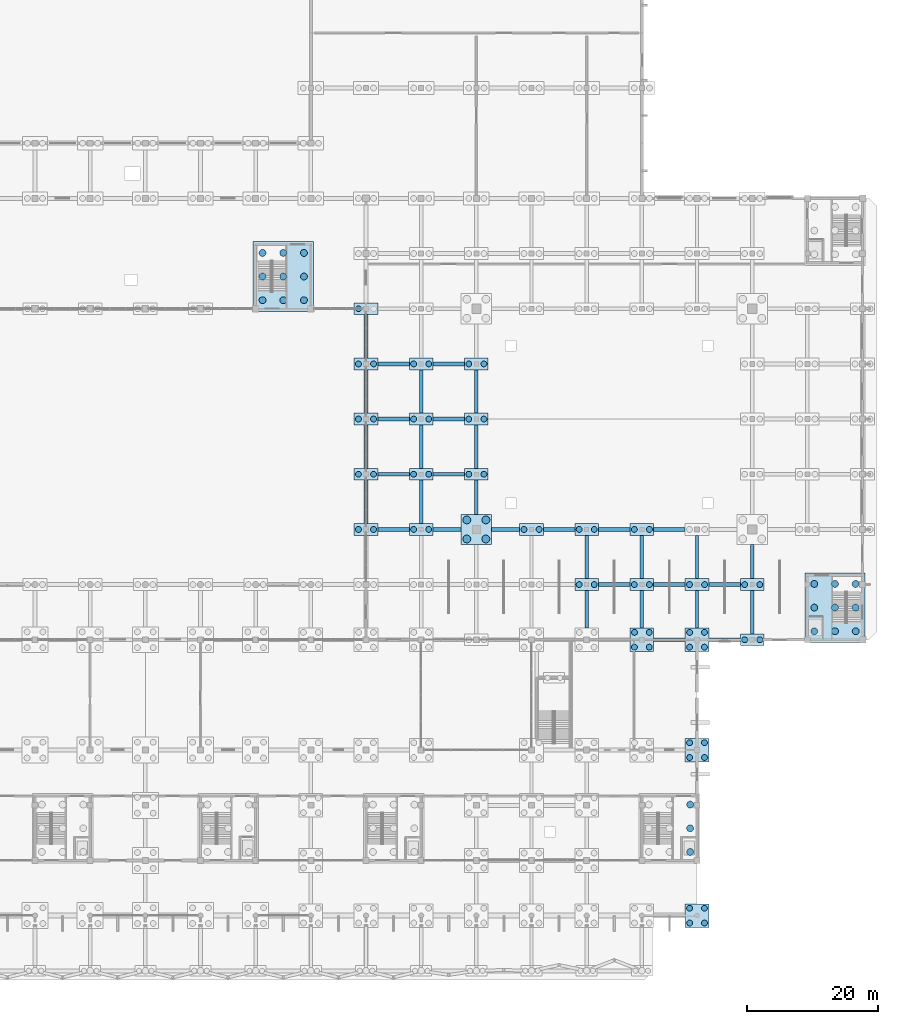
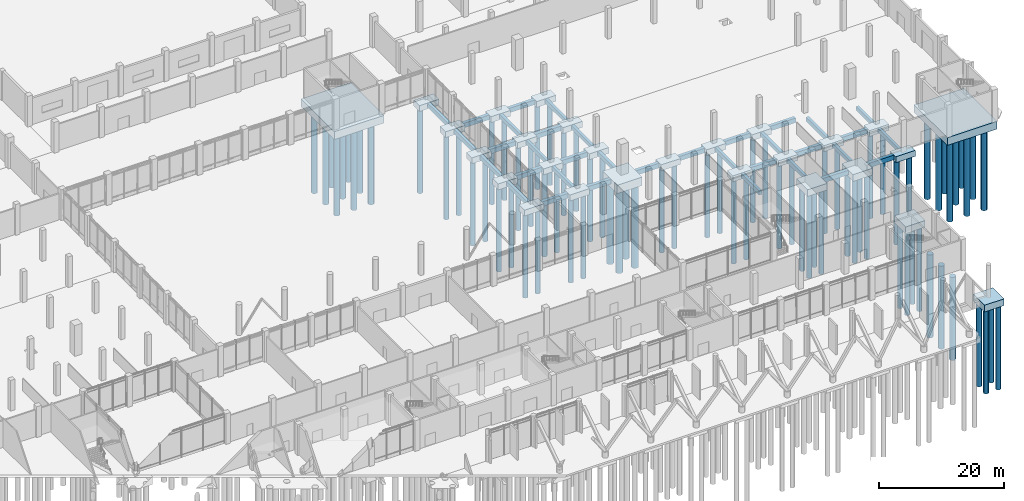
# One storey, part 9 of 72: 80 piles, 62 footings.
"""IFC4 building model written with IfcOpenShell, lengths in metres."""

import ifcopenshell
import ifcopenshell.guid

model = None  # the IFC model being written
_history = None  # IfcOwnerHistory: only IFC2X3 demands one
_inside = {}  # id of a spatial element -> (the spatial element, [elements in it])
_under = {}  # id of a project, library or spatial element -> (it, [spatial elements below it])
_declared = {}  # id of a project -> (the project, [libraries it declares])
_typed = {}  # id of a type object -> (the type object, [elements of that type])
_made_of = {}  # id of a material, layer set ... -> (it, [elements and type objects made of it])


def new_model(schema):
    """Start an empty IFC model of exactly this schema.

    Asked for "IFC4X3", IfcOpenShell would pick the latest addendum, in which some entities
    have other attributes; the version numbers below select the first issue.
    IFC2X3 requires an IfcOwnerHistory on every rooted entity: one is made here for all.
    """
    global model, _history
    if schema == "IFC4X3":
        model = ifcopenshell.file(schema_version=(4, 3, 0, 0))
    else:
        model = ifcopenshell.file(schema=schema)
    _inside.clear()
    _under.clear()
    _declared.clear()
    _typed.clear()
    _made_of.clear()
    _history = None
    if model.schema == "IFC2X3":
        org = make("IfcOrganization", Name="unknown")
        user = make(
            "IfcPersonAndOrganization",
            ThePerson=make("IfcPerson", FamilyName="unknown"),
            TheOrganization=org,
        )
        app = make(
            "IfcApplication",
            ApplicationDeveloper=org,
            Version="unknown",
            ApplicationFullName="unknown",
            ApplicationIdentifier="unknown",
        )
        _history = make(
            "IfcOwnerHistory",
            OwningUser=user,
            OwningApplication=app,
            ChangeAction="ADDED",
            CreationDate=0,
        )
    return model


def make(cls, **values):
    """One entity of the class cls with the attributes given. An attribute that is None is left unset."""
    return model.create_entity(
        cls, **{name: value for name, value in values.items() if value is not None}
    )


def rooted(cls, **values):
    """An entity with a GlobalId (a new one), such as an element, a storey or a relation."""
    return make(cls, GlobalId=ifcopenshell.guid.new(), OwnerHistory=_history, **values)


def si_unit(unit_type, name, prefix=None):
    """IfcSIUnit, for example si_unit("LENGTHUNIT", "METRE", prefix="MILLI")."""
    return make("IfcSIUnit", UnitType=unit_type, Prefix=prefix, Name=name)


def assignment(units):
    """IfcUnitAssignment: the units of a project."""
    return None if units is None else make("IfcUnitAssignment", Units=units)


def point(xyz):
    """IfcCartesianPoint."""
    return None if xyz is None else make("IfcCartesianPoint", Coordinates=xyz)


def direction(xyz):
    """IfcDirection."""
    return None if xyz is None else make("IfcDirection", DirectionRatios=xyz)


def frame(location, z_axis=None, x_axis=None):
    """IfcAxis2Placement3D, a coordinate frame: its origin and axes. An axis left out is left unset."""
    return make(
        "IfcAxis2Placement3D",
        Location=point(location),
        Axis=direction(z_axis),
        RefDirection=direction(x_axis),
    )


def frame_2d(location, x_axis=None):
    """IfcAxis2Placement2D, a coordinate frame in the plane: its origin and x axis."""
    return make(
        "IfcAxis2Placement2D", Location=point(location), RefDirection=direction(x_axis)
    )


def origin():
    """The frame at (0, 0, 0) with its axes left unset."""
    return frame((0.0, 0.0, 0.0))


def origin_2d():
    """The frame at (0, 0) in the plane with its x axis left unset."""
    return frame_2d((0.0, 0.0))


def place(relative_to, where):
    """IfcLocalPlacement: puts the frame where relative to a parent placement (None: the world)."""
    return make(
        "IfcLocalPlacement", PlacementRelTo=relative_to, RelativePlacement=where
    )


def context(
    kind, dimensions, precision=None, world=None, true_north=None, identifier=None
):
    """IfcGeometricRepresentationContext, for example the 3D "Model" context."""
    return make(
        "IfcGeometricRepresentationContext",
        ContextIdentifier=identifier,
        ContextType=kind,
        CoordinateSpaceDimension=dimensions,
        Precision=precision,
        WorldCoordinateSystem=world,
        TrueNorth=true_north,
    )


def subcontext(parent, identifier, kind, view, scale=None):
    """IfcGeometricRepresentationSubContext, for example "Body" below "Model"."""
    return make(
        "IfcGeometricRepresentationSubContext",
        ContextIdentifier=identifier,
        ContextType=kind,
        ParentContext=parent,
        TargetScale=scale,
        TargetView=view,
    )


def project(units=None, contexts=None):
    """IfcProject with its units and contexts."""
    return rooted(
        "IfcProject",
        Name="project",
        RepresentationContexts=contexts,
        UnitsInContext=assignment(units),
    )


def spatial(cls, under=None, at=None, **own):
    """A site, building, storey or space (cls), placed at a placement, below another one or the project."""
    s = rooted(cls, ObjectPlacement=at, **own)
    if under is not None:
        _under.setdefault(under.id(), (under, []))[1].append(s)
    return s


def profile(cls, at=None, kind="AREA", **sizes):
    """A parametric profile (cls). Its sizes go by their IFC names, for example OverallWidth=200.0."""
    return make(cls, ProfileType=kind, Position=at, **sizes)


def rectangle(**sizes):
    """IfcRectangleProfileDef."""
    return profile("IfcRectangleProfileDef", **sizes)


def circle(**sizes):
    """IfcCircleProfileDef."""
    return profile("IfcCircleProfileDef", **sizes)


def extrude(swept, where, along, depth):
    """IfcExtrudedAreaSolid: the profile swept, set in the frame where, extruded along a direction by depth."""
    return make(
        "IfcExtrudedAreaSolid",
        SweptArea=swept,
        Position=where,
        ExtrudedDirection=direction(along),
        Depth=depth,
    )


def shape(context_of_items, identifier, shape_type, items):
    """IfcShapeRepresentation: the items that make up one representation, for example the "Body"."""
    return make(
        "IfcShapeRepresentation",
        ContextOfItems=context_of_items,
        RepresentationIdentifier=identifier,
        RepresentationType=shape_type,
        Items=items,
    )


def material(Name=None, Category=None):
    """IfcMaterial."""
    return make("IfcMaterial", Name=Name, Category=Category)


def layer(
    of_material, thickness, ventilated=None, Name=None, Category=None, Priority=None
):
    """IfcMaterialLayer: one layer of a wall or slab, of a material (None: an air gap)."""
    return make(
        "IfcMaterialLayer",
        Material=of_material,
        LayerThickness=thickness,
        IsVentilated=ventilated,
        Name=Name,
        Category=Category,
        Priority=Priority,
    )


def layer_set(layers, Name=None):
    """IfcMaterialLayerSet."""
    return make("IfcMaterialLayerSet", MaterialLayers=layers, LayerSetName=Name)


def material_profile(
    of_material, cross_section, Name=None, Category=None, Priority=None
):
    """IfcMaterialProfile: a cross section and its material."""
    return make(
        "IfcMaterialProfile",
        Name=Name,
        Material=of_material,
        Profile=cross_section,
        Priority=Priority,
        Category=Category,
    )


def profile_set(profiles, Name=None, composite=None):
    """IfcMaterialProfileSet."""
    return make(
        "IfcMaterialProfileSet",
        Name=Name,
        MaterialProfiles=profiles,
        CompositeProfile=composite,
    )


def made_of(thing, what):
    """Note that an element or type object is made of a material, layer set ...; save() writes the relation."""
    if what is not None:
        _made_of.setdefault(what.id(), (what, []))[1].append(thing)
    return thing


def type_object(cls, material=None, **own):
    """A type object (cls), such as IfcWallType, which elements share."""
    return made_of(rooted(cls, **own), material)


def element(
    cls,
    number,
    at=None,
    inside=None,
    cuts=None,
    type_object=None,
    material=None,
    context=None,
    identifier="Body",
    shape_type=None,
    held_by="IfcProductDefinitionShape",
    body=None,
    shapes=None,
    **own,
):
    """One element of the class cls, such as IfcWall. Its Tag is "e" and its number.

    at: its placement. inside: the storey or other place that contains it. cuts: it is an
    opening in that element (IfcRelVoidsElement). A single representation is given by context,
    identifier, shape_type and body (its items); several are given by shapes. held_by: the class
    of the entity that holds the representations. save() writes the other relations.
    """
    e = rooted(cls, Tag="e%d" % number, ObjectPlacement=at, **own)
    if body is not None:
        shapes = [shape(context, identifier, shape_type, body)]
    if shapes is not None:
        e.Representation = make(held_by, Representations=shapes)
    if inside is not None:
        _inside.setdefault(inside.id(), (inside, []))[1].append(e)
    if cuts is not None:
        rooted(
            "IfcRelVoidsElement", RelatingBuildingElement=cuts, RelatedOpeningElement=e
        )
    if type_object is not None:
        _typed.setdefault(type_object.id(), (type_object, []))[1].append(e)
    return made_of(e, material)


def aggregate(whole, parts):
    """IfcRelAggregates: a whole, such as a stair, and the parts it consists of."""
    return rooted("IfcRelAggregates", RelatingObject=whole, RelatedObjects=parts)


def save(model, path):
    """Write the relations noted so far, then the file.

    IfcRelAggregates (storeys below a building ...), IfcRelContainedInSpatialStructure (elements
    in a storey), IfcRelDefinesByType, IfcRelAssociatesMaterial and IfcRelDeclares: one each for
    every whole, place, type object, material and project.
    """
    for whole, parts in _under.values():
        aggregate(whole, parts)
    for where, things in _inside.values():
        rooted(
            "IfcRelContainedInSpatialStructure",
            RelatedElements=things,
            RelatingStructure=where,
        )
    for kind, things in _typed.values():
        rooted("IfcRelDefinesByType", RelatedObjects=things, RelatingType=kind)
    for what, things in _made_of.values():
        rooted("IfcRelAssociatesMaterial", RelatedObjects=things, RelatingMaterial=what)
    for by, libraries in _declared.values():
        rooted("IfcRelDeclares", RelatingContext=by, RelatedDefinitions=libraries)
    model.write(path)


model = new_model("IFC4")

# Units and contexts
model_context = context("Model", 3, precision=1e-05, world=origin(), true_north=direction((0.0, 1.0)))
body_context = subcontext(model_context, "Body", "Model", "MODEL_VIEW")
ifc_project = project(units=[si_unit("LENGTHUNIT", "METRE"), si_unit("AREAUNIT", "SQUARE_METRE"), si_unit("VOLUMEUNIT", "CUBIC_METRE"), si_unit("PLANEANGLEUNIT", "RADIAN"), si_unit("MASSUNIT", "GRAM", prefix="KILO")], contexts=[model_context])

# Site, building, storey
site_placement = place(None, origin())
site = spatial("IfcSite", under=ifc_project, at=site_placement, CompositionType="ELEMENT")
building_placement = place(site_placement, origin())
building = spatial("IfcBuilding", under=site, at=building_placement, Name="Qawsi Khor Wholesale Market", CompositionType="ELEMENT")
storey_placement = place(building_placement, origin())
storey = spatial("IfcBuildingStorey", under=building, at=storey_placement, Name="L00", CompositionType="ELEMENT", Elevation=0.0)

# Piles
ifc_material = material(Name="Concrete C45/55", Category="concrete")
ifc_material_profile_1 = material_profile(ifc_material, circle(Radius=0.52490234375, at=origin_2d()), Name="PILE D1050")
ifc_profile_set_1 = profile_set([ifc_material_profile_1], Name="Concrete C45/55")
pile_type_1 = type_object("IfcPileType", Name="Bored Pile D1050 C45/55", PredefinedType="BORED", material=ifc_profile_set_1)
for number, where, z_axis, x_axis, name in (
    (1, (192.14990234375, 9.699951171875, -1.800048828125), (0.0, 0.0, -1.0), (1.0, 0.0, 0.0), "Core bored pile C06-07"),
    (2, (192.14990234375, 13.300048828125, -1.800048828125), (0.0, 0.0, -1.0), (1.0, 0.0, 0.0), "Core bored pile C06-08"),
    (3, (192.14990234375, 16.89990234375, -1.800048828125), (0.0, 0.0, -1.0), (1.0, 0.0, 0.0), "Core bored pile C06-09"),
    (4, (127.050048828125, 93.699951171875, -1.800048828125), (0.0, 0.0, -1.0), (1.0, 0.0, 0.0), "Core bored pile C10-01"),
    (5, (127.050048828125, 97.300048828125, -1.800048828125), (0.0, 0.0, -1.0), (1.0, 0.0, 0.0), "Core bored pile C10-02"),
    (6, (127.050048828125, 100.89990234375, -1.800048828125), (0.0, 0.0, -1.0), (1.0, 0.0, 0.0), "Core bored pile C10-03"),
    (7, (130.199951171875, 93.699951171875, -1.800048828125), (0.0, 0.0, -1.0), (1.0, 0.0, 0.0), "Core bored pile C10-04"),
    (8, (130.199951171875, 97.300048828125, -1.800048828125), (0.0, 0.0, -1.0), (1.0, 0.0, 0.0), "Core bored pile C10-05"),
    (9, (130.199951171875, 100.89990234375, -1.800048828125), (0.0, 0.0, -1.0), (1.0, 0.0, 0.0), "Core bored pile C10-06"),
    (10, (133.35009765625, 93.699951171875, -1.800048828125), (0.0, 0.0, -1.0), (1.0, 0.0, 0.0), "Core bored pile C10-07"),
    (11, (133.35009765625, 97.300048828125, -1.800048828125), (0.0, 0.0, -1.0), (1.0, 0.0, 0.0), "Core bored pile C10-08"),
    (12, (133.35009765625, 100.89990234375, -1.800048828125), (0.0, 0.0, -1.0), (1.0, 0.0, 0.0), "Core bored pile C10-09"),
    (13, (211.050048828125, 43.300048828125, -1.800048828125), (0.0, 0.0, -1.0), (1.0, 0.0, 0.0), "Core bored pile C11-01"),
    (14, (211.050048828125, 46.89990234375, -1.800048828125), (0.0, 0.0, -1.0), (1.0, 0.0, 0.0), "Core bored pile C11-02"),
    (15, (211.050048828125, 50.5, -1.800048828125), (0.0, 0.0, -1.0), (1.0, 0.0, 0.0), "Core bored pile C11-03"),
    (16, (214.199951171875, 43.300048828125, -1.800048828125), (0.0, 0.0, -1.0), (1.0, 0.0, 0.0), "Core bored pile C11-04"),
    (17, (214.199951171875, 46.89990234375, -1.800048828125), (0.0, 0.0, -1.0), (1.0, 0.0, 0.0), "Core bored pile C11-05"),
    (18, (214.199951171875, 50.5, -1.800048828125), (0.0, 0.0, -1.0), (1.0, 0.0, 0.0), "Core bored pile C11-06"),
    (19, (217.35009765625, 43.300048828125, -1.800048828125), (0.0, 0.0, -1.0), (1.0, 0.0, 0.0), "Core bored pile C11-07"),
    (20, (217.35009765625, 46.89990234375, -1.800048828125), (0.0, 0.0, -1.0), (1.0, 0.0, 0.0), "Core bored pile C11-08"),
    (21, (217.35009765625, 50.5, -1.800048828125), (0.0, 0.0, -1.0), (1.0, 0.0, 0.0), "Core bored pile C11-09"),
):
    element("IfcPile", number, at=place(storey_placement, frame(where, z_axis=z_axis, x_axis=x_axis)), inside=storey, type_object=pile_type_1, Name=name, PredefinedType="BORED", context=body_context, shape_type="SweptSolid", body=[
        extrude(circle(Radius=0.52490234375, at=origin_2d()), origin(), (0.0, 0.0, 1.0), 16.199951171875),
    ])
ifc_material_profile_2 = material_profile(ifc_material, circle(Radius=0.60009765625, at=origin_2d()), Name="PILE D1200")
ifc_profile_set_2 = profile_set([ifc_material_profile_2], Name="Concrete C45/55")
pile_type_2 = type_object("IfcPileType", Name="Bored Pile D1200 C45/55", PredefinedType="BORED", material=ifc_profile_set_2)
for number, where, z_axis, x_axis, name in (
    (22, (158.14990234375, 57.35009765625, -1.93994140625), (0.0, 0.0, -1.0), (1.0, 0.0, 0.0), "Mega-column pile 19_+07-1"),
    (23, (161.050048828125, 57.35009765625, -1.93994140625), (0.0, 0.0, -1.0), (1.0, 0.0, 0.0), "Mega-column pile 19_+07-2"),
    (24, (158.14990234375, 60.25, -1.93994140625), (0.0, 0.0, -1.0), (1.0, 0.0, 0.0), "Mega-column pile 19_+07-3"),
    (25, (161.050048828125, 60.25, -1.93994140625), (0.0, 0.0, -1.0), (1.0, 0.0, 0.0), "Mega-column pile 19_+07-4"),
):
    element("IfcPile", number, at=place(storey_placement, frame(where, z_axis=z_axis, x_axis=x_axis)), inside=storey, type_object=pile_type_2, Name=name, PredefinedType="BORED", context=body_context, shape_type="SweptSolid", body=[
        extrude(circle(Radius=0.60009765625, at=origin_2d()), origin(), (0.0, 0.0, 1.0), 16.06005859375),
    ])
ifc_material_profile_3 = material_profile(ifc_material, circle(Radius=0.449951171875, at=origin_2d()), Name="PILE D900")
ifc_profile_set_3 = profile_set([ifc_material_profile_3], Name="Concrete C45/55")
pile_type_3 = type_object("IfcPileType", Name="Bored Pile D900 C45/55", PredefinedType="BORED", material=ifc_profile_set_3)
for number, where, z_axis, x_axis, name in (
    (26, (141.64990234375, 58.800048828125, -1.5), (0.0, 0.0, -1.0), (1.0, 0.0, 0.0), "Bored pile 17_+07-1"),
    (27, (143.949951171875, 58.800048828125, -1.5), (0.0, 0.0, -1.0), (1.0, 0.0, 0.0), "Bored pile 17_+07-2"),
    (28, (141.64990234375, 67.199951171875, -1.5), (0.0, 0.0, -1.0), (1.0, 0.0, 0.0), "Bored pile 17_+08-1"),
    (29, (143.949951171875, 67.199951171875, -1.5), (0.0, 0.0, -1.0), (1.0, 0.0, 0.0), "Bored pile 17_+08-2"),
    (30, (141.64990234375, 75.60009765625, -1.5), (0.0, 0.0, -1.0), (1.0, 0.0, 0.0), "Bored pile 17_+09-1"),
    (31, (143.949951171875, 75.60009765625, -1.5), (0.0, 0.0, -1.0), (1.0, 0.0, 0.0), "Bored pile 17_+09-2"),
    (32, (141.64990234375, 84.0, -1.5), (0.0, 0.0, -1.0), (1.0, 0.0, 0.0), "Bored pile 17_+10-1"),
    (33, (143.949951171875, 84.0, -1.5), (0.0, 0.0, -1.0), (1.0, 0.0, 0.0), "Bored pile 17_+10-2"),
    (34, (141.64990234375, 92.39990234375, -1.5), (0.0, 0.0, -1.0), (1.0, 0.0, 0.0), "Bored pile 17_+11-1"),
    (35, (150.050048828125, 58.800048828125, -1.5), (0.0, 0.0, -1.0), (1.0, 0.0, 0.0), "Bored pile 18_+07-1"),
    (36, (152.35009765625, 58.800048828125, -1.5), (0.0, 0.0, -1.0), (1.0, 0.0, 0.0), "Bored pile 18_+07-2"),
    (37, (150.050048828125, 67.199951171875, -1.5), (0.0, 0.0, -1.0), (1.0, 0.0, 0.0), "Bored pile 18_+08-1"),
    (38, (152.35009765625, 67.199951171875, -1.5), (0.0, 0.0, -1.0), (1.0, 0.0, 0.0), "Bored pile 18_+08-2"),
    (39, (150.050048828125, 75.60009765625, -1.5), (0.0, 0.0, -1.0), (1.0, 0.0, 0.0), "Bored pile 18_+09-1"),
    (40, (152.35009765625, 75.60009765625, -1.5), (0.0, 0.0, -1.0), (1.0, 0.0, 0.0), "Bored pile 18_+09-2"),
    (41, (150.050048828125, 84.0, -1.5), (0.0, 0.0, -1.0), (1.0, 0.0, 0.0), "Bored pile 18_+10-1"),
    (42, (152.35009765625, 84.0, -1.5), (0.0, 0.0, -1.0), (1.0, 0.0, 0.0), "Bored pile 18_+10-2"),
    (43, (158.449951171875, 67.199951171875, -1.5), (0.0, 0.0, -1.0), (1.0, 0.0, 0.0), "Bored pile 19_+08-1"),
    (44, (160.75, 67.199951171875, -1.5), (0.0, 0.0, -1.0), (1.0, 0.0, 0.0), "Bored pile 19_+08-2"),
    (45, (158.449951171875, 75.60009765625, -1.5), (0.0, 0.0, -1.0), (1.0, 0.0, 0.0), "Bored pile 19_+09-1"),
    (46, (160.75, 75.60009765625, -1.5), (0.0, 0.0, -1.0), (1.0, 0.0, 0.0), "Bored pile 19_+09-2"),
    (47, (158.449951171875, 84.0, -1.5), (0.0, 0.0, -1.0), (1.0, 0.0, 0.0), "Bored pile 19_+10-1"),
    (48, (160.75, 84.0, -1.5), (0.0, 0.0, -1.0), (1.0, 0.0, 0.0), "Bored pile 19_+10-2"),
    (49, (166.85009765625, 58.800048828125, -1.5), (0.0, 0.0, -1.0), (1.0, 0.0, 0.0), "Bored pile 20_+07-1"),
    (50, (169.14990234375, 58.800048828125, -1.5), (0.0, 0.0, -1.0), (1.0, 0.0, 0.0), "Bored pile 20_+07-2"),
    (51, (175.25, 50.39990234375, -1.5), (0.0, 0.0, -1.0), (1.0, 0.0, 0.0), "Bored pile 21_+06-1"),
    (52, (177.550048828125, 50.39990234375, -1.5), (0.0, 0.0, -1.0), (1.0, 0.0, 0.0), "Bored pile 21_+06-2"),
    (53, (175.25, 58.800048828125, -1.5), (0.0, 0.0, -1.0), (1.0, 0.0, 0.0), "Bored pile 21_+07-1"),
    (54, (177.550048828125, 58.800048828125, -1.5), (0.0, 0.0, -1.0), (1.0, 0.0, 0.0), "Bored pile 21_+07-2"),
):
    element("IfcPile", number, at=place(storey_placement, frame(where, z_axis=z_axis, x_axis=x_axis)), inside=storey, type_object=pile_type_3, Name=name, PredefinedType="BORED", context=body_context, shape_type="SweptSolid", body=[
        extrude(circle(Radius=0.449951171875, at=origin_2d()), origin(), (0.0, 0.0, 1.0), 16.5),
    ])
for number, where, z_axis, x_axis, name in (
    (55, (183.675048828125, 40.875, -1.610107421875), (0.0, 0.0, -1.0), (1.0, 0.0, 0.0), "Bored pile 22_+05-1"),
    (56, (185.925048828125, 40.875, -1.610107421875), (0.0, 0.0, -1.0), (1.0, 0.0, 0.0), "Bored pile 22_+05-2"),
    (57, (183.675048828125, 43.125, -1.610107421875), (0.0, 0.0, -1.0), (1.0, 0.0, 0.0), "Bored pile 22_+05-3"),
    (58, (185.925048828125, 43.125, -1.610107421875), (0.0, 0.0, -1.0), (1.0, 0.0, 0.0), "Bored pile 22_+05-4"),
):
    element("IfcPile", number, at=place(storey_placement, frame(where, z_axis=z_axis, x_axis=x_axis)), inside=storey, type_object=pile_type_3, Name=name, PredefinedType="BORED", context=body_context, shape_type="SweptSolid", body=[
        extrude(circle(Radius=0.449951171875, at=origin_2d()), origin(), (0.0, 0.0, 1.0), 16.389892578125),
    ])
for number, where, z_axis, x_axis, name in (
    (59, (183.64990234375, 50.39990234375, -1.5), (0.0, 0.0, -1.0), (1.0, 0.0, 0.0), "Bored pile 22_+06-1"),
    (60, (185.949951171875, 50.39990234375, -1.5), (0.0, 0.0, -1.0), (1.0, 0.0, 0.0), "Bored pile 22_+06-2"),
    (61, (183.64990234375, 58.800048828125, -1.5), (0.0, 0.0, -1.0), (1.0, 0.0, 0.0), "Bored pile 22_+07-1"),
    (62, (185.949951171875, 58.800048828125, -1.5), (0.0, 0.0, -1.0), (1.0, 0.0, 0.0), "Bored pile 22_+07-2"),
):
    element("IfcPile", number, at=place(storey_placement, frame(where, z_axis=z_axis, x_axis=x_axis)), inside=storey, type_object=pile_type_3, Name=name, PredefinedType="BORED", context=body_context, shape_type="SweptSolid", body=[
        extrude(circle(Radius=0.449951171875, at=origin_2d()), origin(), (0.0, 0.0, 1.0), 16.5),
    ])
for number, where, z_axis, x_axis, name in (
    (63, (192.074951171875, -1.125, -1.610107421875), (0.0, 0.0, -1.0), (1.0, 0.0, 0.0), "Bored pile 23_+00-1"),
    (64, (194.324951171875, -1.125, -1.610107421875), (0.0, 0.0, -1.0), (1.0, 0.0, 0.0), "Bored pile 23_+00-2"),
    (65, (192.074951171875, 1.125, -1.610107421875), (0.0, 0.0, -1.0), (1.0, 0.0, 0.0), "Bored pile 23_+00-3"),
    (66, (194.324951171875, 1.125, -1.610107421875), (0.0, 0.0, -1.0), (1.0, 0.0, 0.0), "Bored pile 23_+00-4"),
    (67, (192.074951171875, 24.074951171875, -1.610107421875), (0.0, 0.0, -1.0), (1.0, 0.0, 0.0), "Bored pile 23_+03-1"),
    (68, (194.324951171875, 24.074951171875, -1.610107421875), (0.0, 0.0, -1.0), (1.0, 0.0, 0.0), "Bored pile 23_+03-2"),
    (69, (192.074951171875, 26.324951171875, -1.610107421875), (0.0, 0.0, -1.0), (1.0, 0.0, 0.0), "Bored pile 23_+03-3"),
    (70, (194.324951171875, 26.324951171875, -1.610107421875), (0.0, 0.0, -1.0), (1.0, 0.0, 0.0), "Bored pile 23_+03-4"),
    (71, (192.074951171875, 40.875, -1.610107421875), (0.0, 0.0, -1.0), (1.0, 0.0, 0.0), "Bored pile 23_+05-1"),
    (72, (194.324951171875, 40.875, -1.610107421875), (0.0, 0.0, -1.0), (1.0, 0.0, 0.0), "Bored pile 23_+05-2"),
    (73, (192.074951171875, 43.125, -1.610107421875), (0.0, 0.0, -1.0), (1.0, 0.0, 0.0), "Bored pile 23_+05-3"),
    (74, (194.324951171875, 43.125, -1.610107421875), (0.0, 0.0, -1.0), (1.0, 0.0, 0.0), "Bored pile 23_+05-4"),
):
    element("IfcPile", number, at=place(storey_placement, frame(where, z_axis=z_axis, x_axis=x_axis)), inside=storey, type_object=pile_type_3, Name=name, PredefinedType="BORED", context=body_context, shape_type="SweptSolid", body=[
        extrude(circle(Radius=0.449951171875, at=origin_2d()), origin(), (0.0, 0.0, 1.0), 16.389892578125),
    ])
for number, where, z_axis, x_axis, name in (
    (75, (192.050048828125, 50.39990234375, -1.5), (0.0, 0.0, -1.0), (1.0, 0.0, 0.0), "Bored pile 23_+06-1"),
    (76, (194.35009765625, 50.39990234375, -1.5), (0.0, 0.0, -1.0), (1.0, 0.0, 0.0), "Bored pile 23_+06-2"),
    (77, (200.449951171875, 42.0, -1.5), (0.0, 0.0, -1.0), (1.0, 0.0, 0.0), "Bored pile 24_+05-1"),
    (78, (202.75, 42.0, -1.5), (0.0, 0.0, -1.0), (1.0, 0.0, 0.0), "Bored pile 24_+05-2"),
    (79, (200.449951171875, 50.39990234375, -1.5), (0.0, 0.0, -1.0), (1.0, 0.0, 0.0), "Bored pile 24_+06-1"),
    (80, (202.75, 50.39990234375, -1.5), (0.0, 0.0, -1.0), (1.0, 0.0, 0.0), "Bored pile 24_+06-2"),
):
    element("IfcPile", number, at=place(storey_placement, frame(where, z_axis=z_axis, x_axis=x_axis)), inside=storey, type_object=pile_type_3, Name=name, PredefinedType="BORED", context=body_context, shape_type="SweptSolid", body=[
        extrude(circle(Radius=0.449951171875, at=origin_2d()), origin(), (0.0, 0.0, 1.0), 16.5),
    ])

# Footings
ifc_layer_1 = layer(ifc_material, 1.52001953125, Name="Concrete C45/55")
ifc_layer_set_1 = layer_set([ifc_layer_1], Name="Concrete C45/55")
footing_type_1 = type_object("IfcFootingType", Name="Core Pile Raft CR-9P 9200x10600x1520", PredefinedType="PILE_CAP", material=ifc_layer_set_1)
for number, where, z_axis, x_axis, name in (
    (81, (130.199951171875, 97.300048828125, -1.880126953125), (0.0, 0.0, 1.0), (1.0, 0.0, 0.0), "Core pile raft C10"),
    (82, (214.199951171875, 46.89990234375, -1.880126953125), (0.0, 0.0, 1.0), (1.0, 0.0, 0.0), "Core pile raft C11"),
):
    element("IfcFooting", number, at=place(storey_placement, frame(where, z_axis=z_axis, x_axis=x_axis)), inside=storey, type_object=footing_type_1, Name=name, PredefinedType="PILE_CAP", context=body_context, shape_type="SweptSolid", body=[
        extrude(rectangle(XDim=9.199951171875, YDim=10.60009765625, at=origin_2d()), origin(), (0.0, 0.0, 1.0), 1.52001953125),
    ])
ifc_material_profile_4 = material_profile(ifc_material, rectangle(XDim=0.60009765625, YDim=0.89990234375, at=origin_2d()), Name="RC 600x900")
ifc_profile_set_4 = profile_set([ifc_material_profile_4], Name="Concrete C45/55")
footing_type_2 = type_object("IfcFootingType", Name="Ground Tie-Beam GTB 600x900", PredefinedType="FOOTING_BEAM", material=ifc_profile_set_4)
for number, where, z_axis, x_axis, name in (
    (83, (144.60009765625, 58.800048828125, -0.840087890625), (1.0, 0.0, 0.0), (0.0, 1.0, 0.0), "Ground tie-beam X 17-18 at Y=58.8"),
    (84, (144.60009765625, 67.199951171875, -0.840087890625), (1.0, 0.0, 0.0), (0.0, 1.0, 0.0), "Ground tie-beam X 17-18 at Y=67.2"),
    (85, (144.60009765625, 75.60009765625, -0.840087890625), (1.0, 0.0, 0.0), (0.0, 1.0, 0.0), "Ground tie-beam X 17-18 at Y=75.6"),
    (86, (144.60009765625, 84.0, -0.840087890625), (1.0, 0.0, 0.0), (0.0, 1.0, 0.0), "Ground tie-beam X 17-18 at Y=84.0"),
):
    element("IfcFooting", number, at=place(storey_placement, frame(where, z_axis=z_axis, x_axis=x_axis)), inside=storey, type_object=footing_type_2, Name=name, PredefinedType="FOOTING_BEAM", context=body_context, shape_type="SweptSolid", body=[
        extrude(rectangle(XDim=0.60009765625, YDim=0.89990234375, at=origin_2d()), origin(), (0.0, 0.0, 1.0), 4.7998046875),
    ])
footing_1_placement = place(storey_placement, frame((153.0, 58.800048828125, -0.840087890625), z_axis=(1.0, 0.0, 0.0), x_axis=(0.0, 1.0, 0.0)))
element("IfcFooting", 87, at=footing_1_placement, inside=storey, type_object=footing_type_2, Name="Ground tie-beam X 18-19 at Y=58.8", PredefinedType="FOOTING_BEAM", context=body_context, shape_type="SweptSolid", body=[
    extrude(rectangle(XDim=0.60009765625, YDim=0.89990234375, at=origin_2d()), origin(), (0.0, 0.0, 1.0), 4.300048828125),
])
for number, where, z_axis, x_axis, name in (
    (88, (153.0, 67.199951171875, -0.840087890625), (1.0, 0.0, 0.0), (0.0, 1.0, 0.0), "Ground tie-beam X 18-19 at Y=67.2"),
    (89, (153.0, 75.60009765625, -0.840087890625), (1.0, 0.0, 0.0), (0.0, 1.0, 0.0), "Ground tie-beam X 18-19 at Y=75.6"),
    (90, (153.0, 84.0, -0.840087890625), (1.0, 0.0, 0.0), (0.0, 1.0, 0.0), "Ground tie-beam X 18-19 at Y=84.0"),
):
    element("IfcFooting", number, at=place(storey_placement, frame(where, z_axis=z_axis, x_axis=x_axis)), inside=storey, type_object=footing_type_2, Name=name, PredefinedType="FOOTING_BEAM", context=body_context, shape_type="SweptSolid", body=[
        extrude(rectangle(XDim=0.60009765625, YDim=0.89990234375, at=origin_2d()), origin(), (0.0, 0.0, 1.0), 4.800048828125),
    ])
footing_2_placement = place(storey_placement, frame((161.89990234375, 58.800048828125, -0.840087890625), z_axis=(1.0, 0.0, 0.0), x_axis=(0.0, 1.0, 0.0)))
element("IfcFooting", 91, at=footing_2_placement, inside=storey, type_object=footing_type_2, Name="Ground tie-beam X 19-20 at Y=58.8", PredefinedType="FOOTING_BEAM", context=body_context, shape_type="SweptSolid", body=[
    extrude(rectangle(XDim=0.60009765625, YDim=0.89990234375, at=origin_2d()), origin(), (0.0, 0.0, 1.0), 4.300048828125),
])
for number, where, z_axis, x_axis, name in (
    (92, (169.800048828125, 58.800048828125, -0.840087890625), (1.0, 0.0, 0.0), (0.0, 1.0, 0.0), "Ground tie-beam X 20-21 at Y=58.8"),
    (93, (178.199951171875, 50.39990234375, -0.840087890625), (1.0, 0.0, 0.0), (0.0, 1.0, 0.0), "Ground tie-beam X 21-22 at Y=50.4"),
    (94, (178.199951171875, 58.800048828125, -0.840087890625), (1.0, 0.0, 0.0), (0.0, 1.0, 0.0), "Ground tie-beam X 21-22 at Y=58.8"),
):
    element("IfcFooting", number, at=place(storey_placement, frame(where, z_axis=z_axis, x_axis=x_axis)), inside=storey, type_object=footing_type_2, Name=name, PredefinedType="FOOTING_BEAM", context=body_context, shape_type="SweptSolid", body=[
        extrude(rectangle(XDim=0.60009765625, YDim=0.89990234375, at=origin_2d()), origin(), (0.0, 0.0, 1.0), 4.800048828125),
    ])
for number, where, z_axis, x_axis, name in (
    (95, (186.60009765625, 42.0, -0.840087890625), (1.0, 0.0, 0.0), (0.0, 1.0, 0.0), "Ground tie-beam X 22-23 at Y=42.0"),
    (96, (186.60009765625, 50.39990234375, -0.840087890625), (1.0, 0.0, 0.0), (0.0, 1.0, 0.0), "Ground tie-beam X 22-23 at Y=50.4"),
    (97, (186.60009765625, 58.800048828125, -0.840087890625), (1.0, 0.0, 0.0), (0.0, 1.0, 0.0), "Ground tie-beam X 22-23 at Y=58.8"),
):
    element("IfcFooting", number, at=place(storey_placement, frame(where, z_axis=z_axis, x_axis=x_axis)), inside=storey, type_object=footing_type_2, Name=name, PredefinedType="FOOTING_BEAM", context=body_context, shape_type="SweptSolid", body=[
        extrude(rectangle(XDim=0.60009765625, YDim=0.89990234375, at=origin_2d()), origin(), (0.0, 0.0, 1.0), 4.7998046875),
    ])
for number, where, z_axis, x_axis, name in (
    (98, (195.0, 42.0, -0.840087890625), (1.0, 0.0, 0.0), (0.0, 1.0, 0.0), "Ground tie-beam X 23-24 at Y=42.0"),
    (99, (195.0, 50.39990234375, -0.840087890625), (1.0, 0.0, 0.0), (0.0, 1.0, 0.0), "Ground tie-beam X 23-24 at Y=50.4"),
):
    element("IfcFooting", number, at=place(storey_placement, frame(where, z_axis=z_axis, x_axis=x_axis)), inside=storey, type_object=footing_type_2, Name=name, PredefinedType="FOOTING_BEAM", context=body_context, shape_type="SweptSolid", body=[
        extrude(rectangle(XDim=0.60009765625, YDim=0.89990234375, at=origin_2d()), origin(), (0.0, 0.0, 1.0), 4.800048828125),
    ])
ifc_material_profile_5 = material_profile(ifc_material, rectangle(XDim=0.5, YDim=0.800048828125, at=origin_2d()), Name="RC 500x800")
ifc_profile_set_5 = profile_set([ifc_material_profile_5], Name="Concrete C45/55")
footing_type_3 = type_object("IfcFootingType", Name="Hall Tie-Beam GTB 500x800", PredefinedType="FOOTING_BEAM", material=ifc_profile_set_5)
footing_3_placement = place(storey_placement, frame((151.199951171875, 59.699951171875, -0.7900390625), z_axis=(0.0, 1.0, 0.0), x_axis=(-1.0, 0.0, 0.0)))
element("IfcFooting", 100, at=footing_3_placement, inside=storey, type_object=footing_type_3, Name="Ground tie-beam Y 7-8 at X=151.2", PredefinedType="FOOTING_BEAM", context=body_context, shape_type="SweptSolid", body=[
    extrude(rectangle(XDim=0.5, YDim=0.800048828125, at=origin_2d()), origin(), (0.0, 0.0, 1.0), 6.60009765625),
])
footing_4_placement = place(storey_placement, frame((151.199951171875, 68.10009765625, -0.7900390625), z_axis=(0.0, 1.0, 0.0), x_axis=(-1.0, 0.0, 0.0)))
element("IfcFooting", 101, at=footing_4_placement, inside=storey, type_object=footing_type_3, Name="Ground tie-beam Y 8-9 at X=151.2", PredefinedType="FOOTING_BEAM", context=body_context, shape_type="SweptSolid", body=[
    extrude(rectangle(XDim=0.5, YDim=0.800048828125, at=origin_2d()), origin(), (0.0, 0.0, 1.0), 6.599853515625),
])
footing_5_placement = place(storey_placement, frame((151.199951171875, 76.5, -0.7900390625), z_axis=(0.0, 1.0, 0.0), x_axis=(-1.0, 0.0, 0.0)))
element("IfcFooting", 102, at=footing_5_placement, inside=storey, type_object=footing_type_3, Name="Ground tie-beam Y 9-10 at X=151.2", PredefinedType="FOOTING_BEAM", context=body_context, shape_type="SweptSolid", body=[
    extrude(rectangle(XDim=0.5, YDim=0.800048828125, at=origin_2d()), origin(), (0.0, 0.0, 1.0), 6.60009765625),
])
footing_6_placement = place(storey_placement, frame((159.60009765625, 61.10009765625, -0.7900390625), z_axis=(0.0, 1.0, 0.0), x_axis=(-1.0, 0.0, 0.0)))
element("IfcFooting", 103, at=footing_6_placement, inside=storey, type_object=footing_type_3, Name="Ground tie-beam Y 7-8 at X=159.6", PredefinedType="FOOTING_BEAM", context=body_context, shape_type="SweptSolid", body=[
    extrude(rectangle(XDim=0.5, YDim=0.800048828125, at=origin_2d()), origin(), (0.0, 0.0, 1.0), 5.199951171875),
])
footing_7_placement = place(storey_placement, frame((159.60009765625, 68.10009765625, -0.7900390625), z_axis=(0.0, 1.0, 0.0), x_axis=(-1.0, 0.0, 0.0)))
element("IfcFooting", 104, at=footing_7_placement, inside=storey, type_object=footing_type_3, Name="Ground tie-beam Y 8-9 at X=159.6", PredefinedType="FOOTING_BEAM", context=body_context, shape_type="SweptSolid", body=[
    extrude(rectangle(XDim=0.5, YDim=0.800048828125, at=origin_2d()), origin(), (0.0, 0.0, 1.0), 6.599853515625),
])
footing_8_placement = place(storey_placement, frame((159.60009765625, 76.5, -0.7900390625), z_axis=(0.0, 1.0, 0.0), x_axis=(-1.0, 0.0, 0.0)))
element("IfcFooting", 105, at=footing_8_placement, inside=storey, type_object=footing_type_3, Name="Ground tie-beam Y 9-10 at X=159.6", PredefinedType="FOOTING_BEAM", context=body_context, shape_type="SweptSolid", body=[
    extrude(rectangle(XDim=0.5, YDim=0.800048828125, at=origin_2d()), origin(), (0.0, 0.0, 1.0), 6.60009765625),
])
footing_9_placement = place(storey_placement, frame((176.39990234375, 43.800048828125, -0.7900390625), z_axis=(0.0, 1.0, 0.0), x_axis=(-1.0, 0.0, 0.0)))
element("IfcFooting", 106, at=footing_9_placement, inside=storey, type_object=footing_type_3, Name="Ground tie-beam Y 5-6 at X=176.4", PredefinedType="FOOTING_BEAM", context=body_context, shape_type="SweptSolid", body=[
    extrude(rectangle(XDim=0.5, YDim=0.800048828125, at=origin_2d()), origin(), (0.0, 0.0, 1.0), 5.699951171875),
])
footing_10_placement = place(storey_placement, frame((176.39990234375, 51.300048828125, -0.7900390625), z_axis=(0.0, 1.0, 0.0), x_axis=(-1.0, 0.0, 0.0)))
element("IfcFooting", 107, at=footing_10_placement, inside=storey, type_object=footing_type_3, Name="Ground tie-beam Y 6-7 at X=176.4", PredefinedType="FOOTING_BEAM", context=body_context, shape_type="SweptSolid", body=[
    extrude(rectangle(XDim=0.5, YDim=0.800048828125, at=origin_2d()), origin(), (0.0, 0.0, 1.0), 6.599853515625),
])
footing_11_placement = place(storey_placement, frame((184.800048828125, 43.800048828125, -0.7900390625), z_axis=(0.0, 1.0, 0.0), x_axis=(-1.0, 0.0, 0.0)))
element("IfcFooting", 108, at=footing_11_placement, inside=storey, type_object=footing_type_3, Name="Ground tie-beam Y 5-6 at X=184.8", PredefinedType="FOOTING_BEAM", context=body_context, shape_type="SweptSolid", body=[
    extrude(rectangle(XDim=0.5, YDim=0.800048828125, at=origin_2d()), origin(), (0.0, 0.0, 1.0), 5.699951171875),
])
footing_12_placement = place(storey_placement, frame((184.800048828125, 51.300048828125, -0.7900390625), z_axis=(0.0, 1.0, 0.0), x_axis=(-1.0, 0.0, 0.0)))
element("IfcFooting", 109, at=footing_12_placement, inside=storey, type_object=footing_type_3, Name="Ground tie-beam Y 6-7 at X=184.8", PredefinedType="FOOTING_BEAM", context=body_context, shape_type="SweptSolid", body=[
    extrude(rectangle(XDim=0.5, YDim=0.800048828125, at=origin_2d()), origin(), (0.0, 0.0, 1.0), 6.599853515625),
])
footing_13_placement = place(storey_placement, frame((193.199951171875, 43.800048828125, -0.7900390625), z_axis=(0.0, 1.0, 0.0), x_axis=(-1.0, 0.0, 0.0)))
element("IfcFooting", 110, at=footing_13_placement, inside=storey, type_object=footing_type_3, Name="Ground tie-beam Y 5-6 at X=193.2", PredefinedType="FOOTING_BEAM", context=body_context, shape_type="SweptSolid", body=[
    extrude(rectangle(XDim=0.5, YDim=0.800048828125, at=origin_2d()), origin(), (0.0, 0.0, 1.0), 5.699951171875),
])
footing_14_placement = place(storey_placement, frame((193.199951171875, 51.300048828125, -0.7900390625), z_axis=(0.0, 1.0, 0.0), x_axis=(-1.0, 0.0, 0.0)))
element("IfcFooting", 111, at=footing_14_placement, inside=storey, type_object=footing_type_3, Name="Ground tie-beam Y 6-7 at X=193.2", PredefinedType="FOOTING_BEAM", context=body_context, shape_type="SweptSolid", body=[
    extrude(rectangle(XDim=0.5, YDim=0.800048828125, at=origin_2d()), origin(), (0.0, 0.0, 1.0), 6.599853515625),
])
footing_15_placement = place(storey_placement, frame((201.60009765625, 42.89990234375, -0.7900390625), z_axis=(0.0, 1.0, 0.0), x_axis=(-1.0, 0.0, 0.0)))
element("IfcFooting", 112, at=footing_15_placement, inside=storey, type_object=footing_type_3, Name="Ground tie-beam Y 5-6 at X=201.6", PredefinedType="FOOTING_BEAM", context=body_context, shape_type="SweptSolid", body=[
    extrude(rectangle(XDim=0.5, YDim=0.800048828125, at=origin_2d()), origin(), (0.0, 0.0, 1.0), 6.60009765625),
])
footing_16_placement = place(storey_placement, frame((201.60009765625, 51.300048828125, -0.7900390625), z_axis=(0.0, 1.0, 0.0), x_axis=(-1.0, 0.0, 0.0)))
element("IfcFooting", 113, at=footing_16_placement, inside=storey, type_object=footing_type_3, Name="Ground tie-beam Y 6-7 at X=201.6", PredefinedType="FOOTING_BEAM", context=body_context, shape_type="SweptSolid", body=[
    extrude(rectangle(XDim=0.5, YDim=0.800048828125, at=origin_2d()), origin(), (0.0, 0.0, 1.0), 5.199951171875),
])
ifc_material_profile_6 = material_profile(ifc_material, rectangle(XDim=0.550048828125, YDim=0.85009765625, at=origin_2d()), Name="RC 550x850")
ifc_profile_set_6 = profile_set([ifc_material_profile_6], Name="Concrete C45/55")
footing_type_4 = type_object("IfcFootingType", Name="Internal Tie-Beam GTB 550x850", PredefinedType="FOOTING_BEAM", material=ifc_profile_set_6)
footing_17_placement = place(storey_placement, frame((142.800048828125, 59.699951171875, -0.81494140625), z_axis=(0.0, 1.0, 0.0), x_axis=(-1.0, 0.0, 0.0)))
element("IfcFooting", 114, at=footing_17_placement, inside=storey, type_object=footing_type_4, Name="Ground tie-beam Y 7-8 at X=142.8", PredefinedType="FOOTING_BEAM", context=body_context, shape_type="SweptSolid", body=[
    extrude(rectangle(XDim=0.550048828125, YDim=0.85009765625, at=origin_2d()), origin(), (0.0, 0.0, 1.0), 6.60009765625),
])
footing_18_placement = place(storey_placement, frame((142.800048828125, 68.10009765625, -0.81494140625), z_axis=(0.0, 1.0, 0.0), x_axis=(-1.0, 0.0, 0.0)))
element("IfcFooting", 115, at=footing_18_placement, inside=storey, type_object=footing_type_4, Name="Ground tie-beam Y 8-9 at X=142.8", PredefinedType="FOOTING_BEAM", context=body_context, shape_type="SweptSolid", body=[
    extrude(rectangle(XDim=0.550048828125, YDim=0.85009765625, at=origin_2d()), origin(), (0.0, 0.0, 1.0), 6.599853515625),
])
for number, where, z_axis, x_axis, name in (
    (116, (142.800048828125, 76.5, -0.81494140625), (0.0, 1.0, 0.0), (-1.0, 0.0, 0.0), "Ground tie-beam Y 9-10 at X=142.8"),
    (117, (142.800048828125, 84.89990234375, -0.81494140625), (0.0, 1.0, 0.0), (-1.0, 0.0, 0.0), "Ground tie-beam Y 10-11 at X=142.8"),
):
    element("IfcFooting", number, at=place(storey_placement, frame(where, z_axis=z_axis, x_axis=x_axis)), inside=storey, type_object=footing_type_4, Name=name, PredefinedType="FOOTING_BEAM", context=body_context, shape_type="SweptSolid", body=[
        extrude(rectangle(XDim=0.550048828125, YDim=0.85009765625, at=origin_2d()), origin(), (0.0, 0.0, 1.0), 6.60009765625),
    ])
ifc_layer_2 = layer(ifc_material, 1.64990234375, Name="Concrete C45/55")
ifc_layer_set_2 = layer_set([ifc_layer_2], Name="Concrete C45/55")
footing_type_5 = type_object("IfcFootingType", Name="Mega-Column Pile Cap PC-4M 4600x4600x1650", PredefinedType="PILE_CAP", material=ifc_layer_set_2)
footing_19_placement = place(storey_placement, frame((159.60009765625, 58.800048828125, -2.010009765625), z_axis=(0.0, 0.0, 1.0), x_axis=(1.0, 0.0, 0.0)))
element("IfcFooting", 118, at=footing_19_placement, inside=storey, type_object=footing_type_5, Name="Mega-column pile cap 19_+07", PredefinedType="PILE_CAP", context=body_context, shape_type="SweptSolid", body=[
    extrude(rectangle(XDim=4.60009765625, YDim=4.60009765625, at=origin_2d()), origin(), (0.0, 0.0, 1.0), 1.64990234375),
])
ifc_layer_3 = layer(ifc_material, 1.14990234375, Name="Concrete C45/55")
ifc_layer_set_3 = layer_set([ifc_layer_3], Name="Concrete C45/55")
footing_type_6 = type_object("IfcFootingType", Name="Pile Cap PC-2P 3600x1800x1150", PredefinedType="PILE_CAP", material=ifc_layer_set_3)
for number, where, z_axis, x_axis, name in (
    (119, (142.800048828125, 58.800048828125, -1.510009765625), (0.0, 0.0, 1.0), (1.0, 0.0, 0.0), "Two-pile cap 17_+07"),
    (120, (142.800048828125, 67.199951171875, -1.510009765625), (0.0, 0.0, 1.0), (1.0, 0.0, 0.0), "Two-pile cap 17_+08"),
    (121, (142.800048828125, 75.60009765625, -1.510009765625), (0.0, 0.0, 1.0), (1.0, 0.0, 0.0), "Two-pile cap 17_+09"),
    (122, (142.800048828125, 84.0, -1.510009765625), (0.0, 0.0, 1.0), (1.0, 0.0, 0.0), "Two-pile cap 17_+10"),
    (123, (142.800048828125, 92.39990234375, -1.510009765625), (0.0, 0.0, 1.0), (1.0, 0.0, 0.0), "Two-pile cap 17_+11"),
    (124, (151.199951171875, 58.800048828125, -1.510009765625), (0.0, 0.0, 1.0), (1.0, 0.0, 0.0), "Two-pile cap 18_+07"),
    (125, (151.199951171875, 67.199951171875, -1.510009765625), (0.0, 0.0, 1.0), (1.0, 0.0, 0.0), "Two-pile cap 18_+08"),
    (126, (151.199951171875, 75.60009765625, -1.510009765625), (0.0, 0.0, 1.0), (1.0, 0.0, 0.0), "Two-pile cap 18_+09"),
    (127, (151.199951171875, 84.0, -1.510009765625), (0.0, 0.0, 1.0), (1.0, 0.0, 0.0), "Two-pile cap 18_+10"),
    (128, (159.60009765625, 67.199951171875, -1.510009765625), (0.0, 0.0, 1.0), (1.0, 0.0, 0.0), "Two-pile cap 19_+08"),
    (129, (159.60009765625, 75.60009765625, -1.510009765625), (0.0, 0.0, 1.0), (1.0, 0.0, 0.0), "Two-pile cap 19_+09"),
    (130, (159.60009765625, 84.0, -1.510009765625), (0.0, 0.0, 1.0), (1.0, 0.0, 0.0), "Two-pile cap 19_+10"),
    (131, (168.0, 58.800048828125, -1.510009765625), (0.0, 0.0, 1.0), (1.0, 0.0, 0.0), "Two-pile cap 20_+07"),
    (132, (176.39990234375, 50.39990234375, -1.510009765625), (0.0, 0.0, 1.0), (1.0, 0.0, 0.0), "Two-pile cap 21_+06"),
    (133, (176.39990234375, 58.800048828125, -1.510009765625), (0.0, 0.0, 1.0), (1.0, 0.0, 0.0), "Two-pile cap 21_+07"),
    (134, (184.800048828125, 50.39990234375, -1.510009765625), (0.0, 0.0, 1.0), (1.0, 0.0, 0.0), "Two-pile cap 22_+06"),
    (135, (184.800048828125, 58.800048828125, -1.510009765625), (0.0, 0.0, 1.0), (1.0, 0.0, 0.0), "Two-pile cap 22_+07"),
    (136, (193.199951171875, 50.39990234375, -1.510009765625), (0.0, 0.0, 1.0), (1.0, 0.0, 0.0), "Two-pile cap 23_+06"),
    (137, (201.60009765625, 42.0, -1.510009765625), (0.0, 0.0, 1.0), (1.0, 0.0, 0.0), "Two-pile cap 24_+05"),
    (138, (201.60009765625, 50.39990234375, -1.510009765625), (0.0, 0.0, 1.0), (1.0, 0.0, 0.0), "Two-pile cap 24_+06"),
):
    element("IfcFooting", number, at=place(storey_placement, frame(where, z_axis=z_axis, x_axis=x_axis)), inside=storey, type_object=footing_type_6, Name=name, PredefinedType="PILE_CAP", context=body_context, shape_type="SweptSolid", body=[
        extrude(rectangle(XDim=3.60009765625, YDim=1.800048828125, at=origin_2d()), origin(), (0.0, 0.0, 1.0), 1.14990234375),
    ])
ifc_layer_4 = layer(ifc_material, 1.320068359375, Name="Concrete C45/55")
ifc_layer_set_4 = layer_set([ifc_layer_4], Name="Concrete C45/55")
footing_type_7 = type_object("IfcFootingType", Name="Pile Cap PC-4P 3600x3600x1320", PredefinedType="PILE_CAP", material=ifc_layer_set_4)
for number, where, z_axis, x_axis, name in (
    (139, (184.800048828125, 42.0, -1.68017578125), (0.0, 0.0, 1.0), (1.0, 0.0, 0.0), "Four-pile cap 22_+05"),
    (140, (193.199951171875, 0.0, -1.68017578125), (0.0, 0.0, 1.0), (1.0, 0.0, 0.0), "Four-pile cap 23_+00"),
    (141, (193.199951171875, 25.199951171875, -1.68017578125), (0.0, 0.0, 1.0), (1.0, 0.0, 0.0), "Four-pile cap 23_+03"),
    (142, (193.199951171875, 42.0, -1.68017578125), (0.0, 0.0, 1.0), (1.0, 0.0, 0.0), "Four-pile cap 23_+05"),
):
    element("IfcFooting", number, at=place(storey_placement, frame(where, z_axis=z_axis, x_axis=x_axis)), inside=storey, type_object=footing_type_7, Name=name, PredefinedType="PILE_CAP", context=body_context, shape_type="SweptSolid", body=[
        extrude(rectangle(XDim=3.60009765625, YDim=3.60009765625, at=origin_2d()), origin(), (0.0, 0.0, 1.0), 1.320068359375),
    ])

save(model, "model.ifc")
